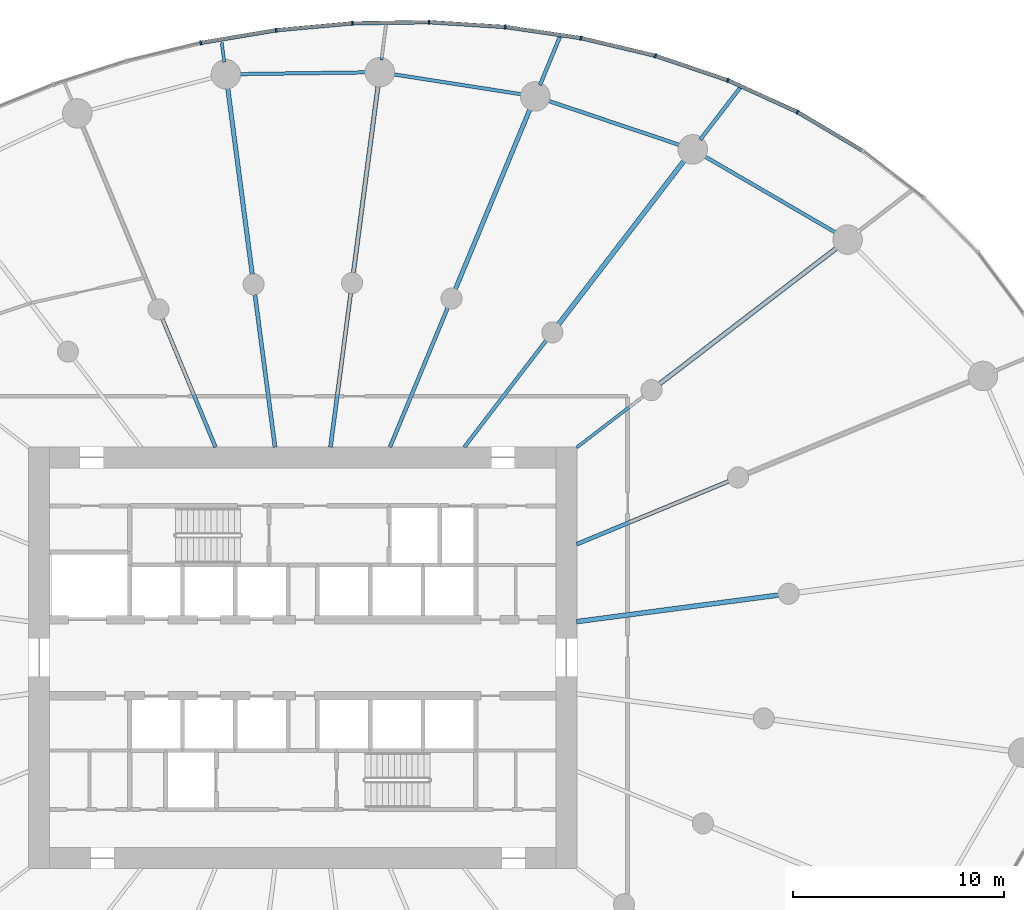
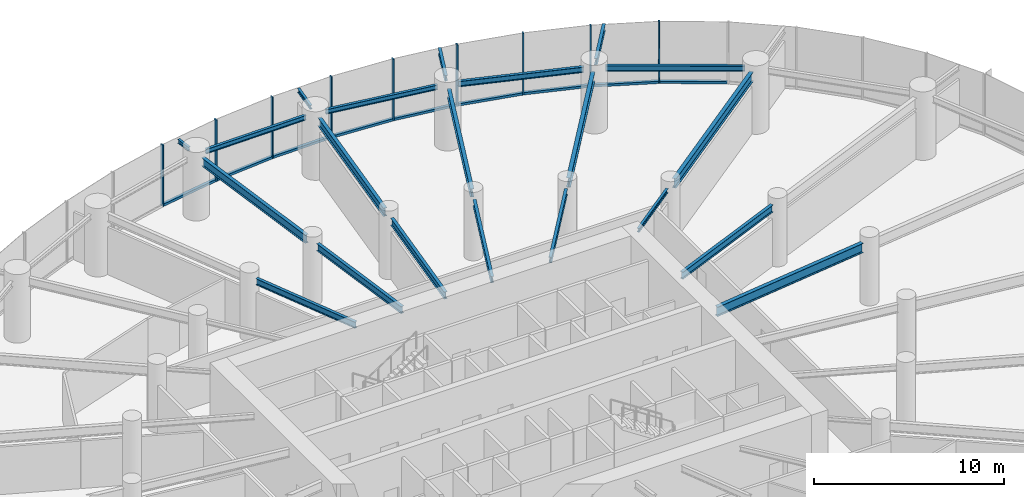
# One storey, part 7 of 18: 21 beams, 18 members, 3 elements without a shape of their own.
"""IFC4 building model written with IfcOpenShell, lengths in metres."""

from ifc_helpers import new_model, si_unit, direction, frame, origin, origin_2d, place, context, subcontext, project, spatial, rectangle, i_section, extrude, source, transform, mapped, material, layer, layer_set, material_profile, profile_set, type_object, element, aggregate, save


model = new_model("IFC4")

# Units and contexts
model_context = context("Model", 3, precision=1e-05, world=origin(), true_north=direction((0.0, 1.0)))
body_context = subcontext(model_context, "Body", "Model", "MODEL_VIEW")
ifc_project = project(units=[si_unit("LENGTHUNIT", "METRE"), si_unit("AREAUNIT", "SQUARE_METRE"), si_unit("VOLUMEUNIT", "CUBIC_METRE"), si_unit("PLANEANGLEUNIT", "RADIAN"), si_unit("MASSUNIT", "GRAM", prefix="KILO")], contexts=[model_context])

# Site, building, storey
site_placement = place(None, origin())
site = spatial("IfcSite", under=ifc_project, at=site_placement, CompositionType="ELEMENT")
building_placement = place(site_placement, origin())
building = spatial("IfcBuilding", under=site, at=building_placement, Name="Spindrift Exchange Tower", CompositionType="ELEMENT")
storey_placement = place(building_placement, frame((0.0, 0.0, 66.60009765625)))
storey = spatial("IfcBuildingStorey", under=building, at=storey_placement, Name="L15", CompositionType="ELEMENT", Elevation=66.60009765625)

# Beams
ifc_material_1 = material(Name="Steel Grade 300", Category="steel")
ifc_material_profile_1 = material_profile(ifc_material_1, i_section(OverallWidth=0.22802734375, OverallDepth=0.60693359375, WebThickness=0.01123046875, FlangeThickness=0.017333984375, FilletRadius=0.013916015625, at=origin_2d()), Name="610UB113")
ifc_profile_set_1 = profile_set([ifc_material_profile_1], Name="Steel Grade 300")
beam_type_1 = type_object("IfcBeamType", Name="Floor Beam 610UB113 Steel Grade 300", PredefinedType="BEAM", material=ifc_profile_set_1)
shared_shape_1 = source(origin(), body_context, "Body", "SweptSolid", [
    extrude(i_section(OverallWidth=0.22802734375, OverallDepth=0.60693359375, WebThickness=0.01123046875, FlangeThickness=0.017333984375, FilletRadius=0.013916015625, at=origin_2d()), origin(), (0.0, 0.0, 1.0), 9.660400390625),
])
beam_1_placement = place(storey_placement, frame((64.980224609375, 49.708984375, 3.646484375), z_axis=(0.99144767089, 0.130504850054, 0.0), x_axis=(-0.130504850054, 0.99144767089, 0.0)))
element("IfcBeam", 1, at=beam_1_placement, inside=storey, type_object=beam_type_1, Name="L15 radial beam R01A", PredefinedType="BEAM", context=body_context, shape_type="MappedRepresentation", body=[
    mapped(shared_shape_1, transform((0.0, 0.0, 0.0), scale=1.0)),
])
ifc_material_profile_2 = material_profile(ifc_material_1, i_section(OverallWidth=0.18994140625, OverallDepth=0.45703125, WebThickness=0.009033203125, FlangeThickness=0.014404296875, FilletRadius=0.013916015625, at=origin_2d()), Name="460UB74.6")
ifc_profile_set_2 = profile_set([ifc_material_profile_2], Name="Steel Grade 300")
beam_type_2 = type_object("IfcBeamType", Name="Floor Beam 460UB74.6 Steel Grade 300", PredefinedType="BEAM", material=ifc_profile_set_2)
shared_shape_2 = source(origin(), body_context, "Body", "SweptSolid", [
    extrude(i_section(OverallWidth=0.18994140625, OverallDepth=0.45703125, WebThickness=0.009033203125, FlangeThickness=0.014404296875, FilletRadius=0.013916015625, at=origin_2d()), origin(), (0.0, 0.0, 1.0), 7.808837890625),
])
beam_2_placement = place(storey_placement, frame((64.9814453125, 53.377197265625, 3.721435546875), z_axis=(0.92387965154, 0.382683145003, 0.0), x_axis=(-0.382683145003, 0.92387965154, 0.0)))
element("IfcBeam", 2, at=beam_2_placement, inside=storey, type_object=beam_type_2, Name="L15 radial beam R02A", PredefinedType="BEAM", context=body_context, shape_type="MappedRepresentation", body=[
    mapped(shared_shape_2, transform((0.0, 0.0, 0.0), scale=1.0)),
])
ifc_material_profile_3 = material_profile(ifc_material_1, i_section(OverallWidth=0.14599609375, OverallDepth=0.251953125, WebThickness=0.006103515625, FlangeThickness=0.008544921875, FilletRadius=0.011962890625, at=origin_2d()), Name="250UB31.4")
ifc_profile_set_3 = profile_set([ifc_material_profile_3], Name="Steel Grade 300")
beam_type_3 = type_object("IfcBeamType", Name="Floor Beam 250UB31.4 Steel Grade 300", PredefinedType="BEAM", material=ifc_profile_set_3)
shared_shape_3 = source(origin(), body_context, "Body", "SweptSolid", [
    extrude(i_section(OverallWidth=0.14599609375, OverallDepth=0.251953125, WebThickness=0.006103515625, FlangeThickness=0.008544921875, FilletRadius=0.011962890625, at=origin_2d()), origin(), (0.0, 0.0, 1.0), 3.99560546875),
])
beam_3_placement = place(storey_placement, frame((64.984130859375, 57.963134765625, 3.823974609375), z_axis=(0.793352561574, 0.608762443851, 0.0), x_axis=(-0.608762443851, 0.793352561574, 0.0)))
element("IfcBeam", 3, at=beam_3_placement, inside=storey, type_object=beam_type_3, Name="L15 radial beam R03A", PredefinedType="BEAM", context=body_context, shape_type="MappedRepresentation", body=[
    mapped(shared_shape_3, transform((0.0, 0.0, 0.0), scale=1.0)),
])
shared_shape_4 = source(origin(), body_context, "Body", "SweptSolid", [
    extrude(i_section(OverallWidth=0.22802734375, OverallDepth=0.60693359375, WebThickness=0.01123046875, FlangeThickness=0.017333984375, FilletRadius=0.013916015625, at=origin_2d()), origin(), (0.0, 0.0, 1.0), 10.66357421875),
])
beam_4_placement = place(storey_placement, frame((68.91552734375, 60.979736328125, 3.646484375), z_axis=(0.793357926757, 0.608755451764, 0.0), x_axis=(-0.608755451764, 0.793357926757, 0.0)))
element("IfcBeam", 4, at=beam_4_placement, inside=storey, type_object=beam_type_1, Name="L15 radial beam R03B", PredefinedType="BEAM", context=body_context, shape_type="MappedRepresentation", body=[
    mapped(shared_shape_4, transform((0.0, 0.0, 0.0), scale=1.0)),
])
ifc_material_profile_4 = material_profile(ifc_material_1, i_section(OverallWidth=0.172119140625, OverallDepth=0.35888671875, WebThickness=0.008056640625, FlangeThickness=0.012939453125, FilletRadius=0.013916015625, at=origin_2d()), Name="360UB56.7")
ifc_profile_set_4 = profile_set([ifc_material_profile_4], Name="Steel Grade 300")
beam_type_4 = type_object("IfcBeamType", Name="Floor Beam 360UB56.7 Steel Grade 300", PredefinedType="BEAM", material=ifc_profile_set_4)
shared_shape_5 = source(origin(), body_context, "Body", "SweptSolid", [
    extrude(i_section(OverallWidth=0.172119140625, OverallDepth=0.35888671875, WebThickness=0.008056640625, FlangeThickness=0.012939453125, FilletRadius=0.013916015625, at=origin_2d()), origin(), (0.0, 0.0, 1.0), 6.37646484375),
])
beam_5_placement = place(storey_placement, frame((59.6611328125, 57.984130859375, 3.7705078125), z_axis=(0.608766669952, 0.793349318747, 0.0), x_axis=(-0.793349318747, 0.608766669952, 0.0)))
element("IfcBeam", 5, at=beam_5_placement, inside=storey, type_object=beam_type_4, Name="L15 radial beam R04A", PredefinedType="BEAM", context=body_context, shape_type="MappedRepresentation", body=[
    mapped(shared_shape_5, transform((0.0, 0.0, 0.0), scale=1.0)),
])
shared_shape_6 = source(origin(), body_context, "Body", "SweptSolid", [
    extrude(i_section(OverallWidth=0.22802734375, OverallDepth=0.60693359375, WebThickness=0.01123046875, FlangeThickness=0.017333984375, FilletRadius=0.013916015625, at=origin_2d()), origin(), (0.0, 0.0, 1.0), 9.87548828125),
])
beam_6_placement = place(storey_placement, frame((64.127197265625, 63.8046875, 3.646484375), z_axis=(0.608772470836, 0.793344867477, 0.0), x_axis=(-0.793344867477, 0.608772470836, 0.0)))
element("IfcBeam", 6, at=beam_6_placement, inside=storey, type_object=beam_type_1, Name="L15 radial beam R04B", PredefinedType="BEAM", context=body_context, shape_type="MappedRepresentation", body=[
    mapped(shared_shape_6, transform((0.0, 0.0, 0.0), scale=1.0)),
])
ifc_material_profile_5 = material_profile(ifc_material_1, i_section(OverallWidth=0.177978515625, OverallDepth=0.406005859375, WebThickness=0.0078125, FlangeThickness=0.0126953125, FilletRadius=0.013916015625, at=origin_2d()), Name="410UB59.7")
ifc_profile_set_5 = profile_set([ifc_material_profile_5], Name="Steel Grade 300")
beam_type_5 = type_object("IfcBeamType", Name="Floor Beam 410UB59.7 Steel Grade 300", PredefinedType="BEAM", material=ifc_profile_set_5)
shared_shape_7 = source(origin(), body_context, "Body", "SweptSolid", [
    extrude(i_section(OverallWidth=0.177978515625, OverallDepth=0.406005859375, WebThickness=0.0078125, FlangeThickness=0.0126953125, FilletRadius=0.013916015625, at=origin_2d()), origin(), (0.0, 0.0, 1.0), 7.150634765625),
])
beam_7_placement = place(storey_placement, frame((56.134521484375, 57.9814453125, 3.746826171875), z_axis=(0.382665393358, 0.923887004306, 0.0), x_axis=(-0.923887004306, 0.382665393358, 0.0)))
element("IfcBeam", 7, at=beam_7_placement, inside=storey, type_object=beam_type_5, Name="L15 radial beam R05A", PredefinedType="BEAM", context=body_context, shape_type="MappedRepresentation", body=[
    mapped(shared_shape_7, transform((0.0, 0.0, 0.0), scale=1.0)),
])
ifc_material_profile_6 = material_profile(ifc_material_1, i_section(OverallWidth=0.208984375, OverallDepth=0.532958984375, WebThickness=0.01025390625, FlangeThickness=0.015625, FilletRadius=0.013916015625, at=origin_2d()), Name="530UB92.4")
ifc_profile_set_6 = profile_set([ifc_material_profile_6], Name="Steel Grade 300")
beam_type_6 = type_object("IfcBeamType", Name="Floor Beam 530UB92.4 Steel Grade 300", PredefinedType="BEAM", material=ifc_profile_set_6)
shared_shape_8 = source(origin(), body_context, "Body", "SweptSolid", [
    extrude(i_section(OverallWidth=0.208984375, OverallDepth=0.532958984375, WebThickness=0.01025390625, FlangeThickness=0.015625, FilletRadius=0.013916015625, at=origin_2d()), origin(), (0.0, 0.0, 1.0), 9.309326171875),
])
beam_8_placement = place(storey_placement, frame((59.23828125, 65.474853515625, 3.683349609375), z_axis=(0.382685326691, 0.923878747853, 0.0), x_axis=(-0.923878747853, 0.382685326691, 0.0)))
element("IfcBeam", 8, at=beam_8_placement, inside=storey, type_object=beam_type_6, Name="L15 radial beam R05B", PredefinedType="BEAM", context=body_context, shape_type="MappedRepresentation", body=[
    mapped(shared_shape_8, transform((0.0, 0.0, 0.0), scale=1.0)),
])
shared_shape_9 = source(origin(), body_context, "Body", "SweptSolid", [
    extrude(i_section(OverallWidth=0.18994140625, OverallDepth=0.45703125, WebThickness=0.009033203125, FlangeThickness=0.014404296875, FilletRadius=0.013916015625, at=origin_2d()), origin(), (0.0, 0.0, 1.0), 7.374267578125),
])
beam_9_placement = place(storey_placement, frame((53.31396484375, 57.980224609375, 3.721435546875), z_axis=(0.130539295622, 0.99144313619, 0.0), x_axis=(-0.99144313619, 0.130539295622, 0.0)))
element("IfcBeam", 9, at=beam_9_placement, inside=storey, type_object=beam_type_2, Name="L15 radial beam R06A", PredefinedType="BEAM", context=body_context, shape_type="MappedRepresentation", body=[
    mapped(shared_shape_9, transform((0.0, 0.0, 0.0), scale=1.0)),
])
shared_shape_10 = source(origin(), body_context, "Body", "SweptSolid", [
    extrude(i_section(OverallWidth=0.208984375, OverallDepth=0.532958984375, WebThickness=0.01025390625, FlangeThickness=0.015625, FilletRadius=0.013916015625, at=origin_2d()), origin(), (0.0, 0.0, 1.0), 9.020263671875),
])
beam_10_placement = place(storey_placement, frame((54.40185546875, 66.2431640625, 3.683349609375), z_axis=(0.13051122338, 0.991446831944, 0.0), x_axis=(-0.991446831944, 0.13051122338, 0.0)))
element("IfcBeam", 10, at=beam_10_placement, inside=storey, type_object=beam_type_6, Name="L15 radial beam R06B", PredefinedType="BEAM", context=body_context, shape_type="MappedRepresentation", body=[
    mapped(shared_shape_10, transform((0.0, 0.0, 0.0), scale=1.0)),
])
shared_shape_11 = source(origin(), body_context, "Body", "SweptSolid", [
    extrude(i_section(OverallWidth=0.18994140625, OverallDepth=0.45703125, WebThickness=0.009033203125, FlangeThickness=0.014404296875, FilletRadius=0.013916015625, at=origin_2d()), origin(), (0.0, 0.0, 1.0), 7.3095703125),
])
beam_11_placement = place(storey_placement, frame((50.68603515625, 57.980224609375, 3.721435546875), z_axis=(-0.130527087244, 0.991444743541, 0.0), x_axis=(-0.991444743541, -0.130527087244, 0.0)))
element("IfcBeam", 11, at=beam_11_placement, inside=storey, type_object=beam_type_2, Name="L15 radial beam R07A", PredefinedType="BEAM", context=body_context, shape_type="MappedRepresentation", body=[
    mapped(shared_shape_11, transform((0.0, 0.0, 0.0), scale=1.0)),
])
shared_shape_12 = source(origin(), body_context, "Body", "SweptSolid", [
    extrude(i_section(OverallWidth=0.208984375, OverallDepth=0.532958984375, WebThickness=0.01025390625, FlangeThickness=0.015625, FilletRadius=0.013916015625, at=origin_2d()), origin(), (0.0, 0.0, 1.0), 8.98388671875),
])
beam_12_placement = place(storey_placement, frame((49.606689453125, 66.17919921875, 3.683349609375), z_axis=(-0.130524106785, 0.991445135924, 0.0), x_axis=(-0.991445135924, -0.130524106785, 0.0)))
element("IfcBeam", 12, at=beam_12_placement, inside=storey, type_object=beam_type_6, Name="L15 radial beam R07B", PredefinedType="BEAM", context=body_context, shape_type="MappedRepresentation", body=[
    mapped(shared_shape_12, transform((0.0, 0.0, 0.0), scale=1.0)),
])
shared_shape_13 = source(origin(), body_context, "Body", "SweptSolid", [
    extrude(i_section(OverallWidth=0.177978515625, OverallDepth=0.406005859375, WebThickness=0.0078125, FlangeThickness=0.0126953125, FilletRadius=0.013916015625, at=origin_2d()), origin(), (0.0, 0.0, 1.0), 6.594482421875),
])
beam_13_placement = place(storey_placement, frame((47.865478515625, 57.9814453125, 3.746826171875), z_axis=(-0.382692929746, 0.92387559851, 0.0), x_axis=(-0.92387559851, -0.382692929746, 0.0)))
element("IfcBeam", 13, at=beam_13_placement, inside=storey, type_object=beam_type_5, Name="L15 radial beam R08A", PredefinedType="BEAM", context=body_context, shape_type="MappedRepresentation", body=[
    mapped(shared_shape_13, transform((0.0, 0.0, 0.0), scale=1.0)),
])
ifc_material_profile_7 = material_profile(ifc_material_1, i_section(OverallWidth=0.172119140625, OverallDepth=0.35888671875, WebThickness=0.008056640625, FlangeThickness=0.012939453125, FilletRadius=0.013916015625, at=origin_2d()), Name="360UB56.7")
ifc_profile_set_7 = profile_set([ifc_material_profile_7], Name="Steel Grade 300")
beam_type_7 = type_object("IfcBeamType", Name="Edge Beam 360UB56.7 Steel Grade 300", PredefinedType="SPANDREL", material=ifc_profile_set_7)
shared_shape_14 = source(origin(), body_context, "Body", "SweptSolid", [
    extrude(i_section(OverallWidth=0.172119140625, OverallDepth=0.35888671875, WebThickness=0.008056640625, FlangeThickness=0.012939453125, FilletRadius=0.013916015625, at=origin_2d()), origin(), (0.0, 0.0, 1.0), 7.33740234375),
])
beam_14_placement = place(storey_placement, frame((77.33447265625, 68.1162109375, 3.7705078125), z_axis=(-0.864211826308, 0.503128134047, 0.0), x_axis=(-0.503128134047, -0.864211826308, 0.0)))
element("IfcBeam", 14, at=beam_14_placement, inside=storey, type_object=beam_type_7, Name="L15 edge beam E03", PredefinedType="SPANDREL", context=body_context, shape_type="MappedRepresentation", body=[
    mapped(shared_shape_14, transform((0.0, 0.0, 0.0), scale=1.0)),
])
shared_shape_15 = source(origin(), body_context, "Body", "SweptSolid", [
    extrude(i_section(OverallWidth=0.172119140625, OverallDepth=0.35888671875, WebThickness=0.008056640625, FlangeThickness=0.012939453125, FilletRadius=0.013916015625, at=origin_2d()), origin(), (0.0, 0.0, 1.0), 6.72021484375),
])
beam_15_placement = place(storey_placement, frame((69.9423828125, 72.28466796875, 3.7705078125), z_axis=(-0.947851749681, 0.318711563372, 0.0), x_axis=(-0.318711563372, -0.947851749681, 0.0)))
element("IfcBeam", 15, at=beam_15_placement, inside=storey, type_object=beam_type_7, Name="L15 edge beam E04", PredefinedType="SPANDREL", context=body_context, shape_type="MappedRepresentation", body=[
    mapped(shared_shape_15, transform((0.0, 0.0, 0.0), scale=1.0)),
])
ifc_material_profile_8 = material_profile(ifc_material_1, i_section(OverallWidth=0.1650390625, OverallDepth=0.303955078125, WebThickness=0.006103515625, FlangeThickness=0.01025390625, FilletRadius=0.011474609375, at=origin_2d()), Name="310UB40.4")
ifc_profile_set_8 = profile_set([ifc_material_profile_8], Name="Steel Grade 300")
beam_type_8 = type_object("IfcBeamType", Name="Edge Beam 310UB40.4 Steel Grade 300", PredefinedType="SPANDREL", material=ifc_profile_set_8)
shared_shape_16 = source(origin(), body_context, "Body", "SweptSolid", [
    extrude(i_section(OverallWidth=0.1650390625, OverallDepth=0.303955078125, WebThickness=0.006103515625, FlangeThickness=0.01025390625, FilletRadius=0.011474609375, at=origin_2d()), origin(), (0.0, 0.0, 1.0), 6.297119140625),
])
beam_16_placement = place(storey_placement, frame((62.44970703125, 74.70068359375, 3.7978515625), z_axis=(-0.98802902915, 0.154268070436, 0.0), x_axis=(-0.154268070436, -0.98802902915, 0.0)))
element("IfcBeam", 16, at=beam_16_placement, inside=storey, type_object=beam_type_8, Name="L15 edge beam E05", PredefinedType="SPANDREL", context=body_context, shape_type="MappedRepresentation", body=[
    mapped(shared_shape_16, transform((0.0, 0.0, 0.0), scale=1.0)),
])
shared_shape_17 = source(origin(), body_context, "Body", "SweptSolid", [
    extrude(i_section(OverallWidth=0.1650390625, OverallDepth=0.303955078125, WebThickness=0.006103515625, FlangeThickness=0.01025390625, FilletRadius=0.011474609375, at=origin_2d()), origin(), (0.0, 0.0, 1.0), 6.13720703125),
])
beam_17_placement = place(storey_placement, frame((55.074951171875, 75.75341796875, 3.7978515625), z_axis=(-0.999905820907, -0.013724041543, 0.0), x_axis=(0.013724041543, -0.999905820907, 0.0)))
element("IfcBeam", 17, at=beam_17_placement, inside=storey, type_object=beam_type_8, Name="L15 edge beam E06", PredefinedType="SPANDREL", context=body_context, shape_type="MappedRepresentation", body=[
    mapped(shared_shape_17, transform((0.0, 0.0, 0.0), scale=1.0)),
])
ifc_material_profile_9 = material_profile(ifc_material_1, i_section(OverallWidth=0.177978515625, OverallDepth=0.406005859375, WebThickness=0.0078125, FlangeThickness=0.0126953125, FilletRadius=0.013916015625, at=origin_2d()), Name="410UB59.7")
ifc_profile_set_9 = profile_set([ifc_material_profile_9], Name="Steel Grade 300")
beam_type_9 = type_object("IfcBeamType", Name="Cantilever Beam 410UB59.7 Steel Grade 300", PredefinedType="BEAM", material=ifc_profile_set_9)
shared_shape_18 = source(origin(), body_context, "Body", "SweptSolid", [
    extrude(i_section(OverallWidth=0.177978515625, OverallDepth=0.406005859375, WebThickness=0.0078125, FlangeThickness=0.0126953125, FilletRadius=0.013916015625, at=origin_2d()), origin(), (0.0, 0.0, 1.0), 3.257568359375),
])
beam_18_placement = place(storey_placement, frame((70.845458984375, 72.559814453125, 3.746826171875), z_axis=(0.608765037761, 0.793350571185, 0.0), x_axis=(-0.793350571185, 0.608765037761, 0.0)))
element("IfcBeam", 18, at=beam_18_placement, inside=storey, type_object=beam_type_9, Name="L15 cantilever beam R04T", PredefinedType="BEAM", context=body_context, shape_type="MappedRepresentation", body=[
    mapped(shared_shape_18, transform((0.0, 0.0, 0.0), scale=1.0)),
])
ifc_material_profile_10 = material_profile(ifc_material_1, i_section(OverallWidth=0.172119140625, OverallDepth=0.35888671875, WebThickness=0.008056640625, FlangeThickness=0.012939453125, FilletRadius=0.013916015625, at=origin_2d()), Name="360UB56.7")
ifc_profile_set_10 = profile_set([ifc_material_profile_10], Name="Steel Grade 300")
beam_type_10 = type_object("IfcBeamType", Name="Cantilever Beam 360UB56.7 Steel Grade 300", PredefinedType="BEAM", material=ifc_profile_set_10)
shared_shape_19 = source(origin(), body_context, "Body", "SweptSolid", [
    extrude(i_section(OverallWidth=0.172119140625, OverallDepth=0.35888671875, WebThickness=0.008056640625, FlangeThickness=0.012939453125, FilletRadius=0.013916015625, at=origin_2d()), origin(), (0.0, 0.0, 1.0), 2.591796875),
])
beam_19_placement = place(storey_placement, frame((63.244873046875, 75.147216796875, 3.7705078125), z_axis=(0.382634657467, 0.923899734227, 0.0), x_axis=(-0.923899734227, 0.382634657467, 0.0)))
element("IfcBeam", 19, at=beam_19_placement, inside=storey, type_object=beam_type_10, Name="L15 cantilever beam R05T", PredefinedType="BEAM", context=body_context, shape_type="MappedRepresentation", body=[
    mapped(shared_shape_19, transform((0.0, 0.0, 0.0), scale=1.0)),
])
ifc_material_profile_11 = material_profile(ifc_material_1, i_section(OverallWidth=0.14599609375, OverallDepth=0.251953125, WebThickness=0.006103515625, FlangeThickness=0.008544921875, FilletRadius=0.011962890625, at=origin_2d()), Name="250UB31.4")
ifc_profile_set_11 = profile_set([ifc_material_profile_11], Name="Steel Grade 300")
beam_type_11 = type_object("IfcBeamType", Name="Cantilever Beam 250UB31.4 Steel Grade 300", PredefinedType="BEAM", material=ifc_profile_set_11)
shared_shape_20 = source(origin(), body_context, "Body", "SweptSolid", [
    extrude(i_section(OverallWidth=0.14599609375, OverallDepth=0.251953125, WebThickness=0.006103515625, FlangeThickness=0.008544921875, FilletRadius=0.011962890625, at=origin_2d()), origin(), (0.0, 0.0, 1.0), 1.72998046875),
])
beam_20_placement = place(storey_placement, frame((55.730712890625, 76.33642578125, 3.823974609375), z_axis=(0.130407051709, 0.991460539237, 0.0), x_axis=(-0.991460539237, 0.130407051709, 0.0)))
element("IfcBeam", 20, at=beam_20_placement, inside=storey, type_object=beam_type_11, Name="L15 cantilever beam R06T", PredefinedType="BEAM", context=body_context, shape_type="MappedRepresentation", body=[
    mapped(shared_shape_20, transform((0.0, 0.0, 0.0), scale=1.0)),
])
shared_shape_21 = source(origin(), body_context, "Body", "SweptSolid", [
    extrude(i_section(OverallWidth=0.14599609375, OverallDepth=0.251953125, WebThickness=0.006103515625, FlangeThickness=0.008544921875, FilletRadius=0.011962890625, at=origin_2d()), origin(), (0.0, 0.0, 1.0), 0.934326171875),
])
beam_21_placement = place(storey_placement, frame((48.28271484375, 76.236328125, 3.823974609375), z_axis=(-0.130657299934, 0.991427591897, 0.0), x_axis=(-0.991427591897, -0.130657299934, 0.0)))
element("IfcBeam", 21, at=beam_21_placement, inside=storey, type_object=beam_type_11, Name="L15 cantilever beam R07T", PredefinedType="BEAM", context=body_context, shape_type="MappedRepresentation", body=[
    mapped(shared_shape_21, transform((0.0, 0.0, 0.0), scale=1.0)),
])

# Curtain wall, members
ifc_material_2 = material(Name="Fritted laminated glass with bronze frame", Category="glass")
ifc_layer = layer(ifc_material_2, 0.199951171875)
ifc_layer_set = layer_set([ifc_layer], Name="ZONE 1 BRONZE FRITTED WALL")
curtain_wall_type = type_object("IfcCurtainWallType", Name="ZONE 1 BRONZE FRITTED WALL", PredefinedType="NOTDEFINED", material=ifc_layer_set)
curtain_wall_1_placement = place(storey_placement, origin())
curtain_wall_1 = element("IfcCurtainWall", 22, at=curtain_wall_1_placement, inside=storey, type_object=curtain_wall_type, Name="L15 Zone 1 Bronze Fritted Wall run 2", PredefinedType="NOTDEFINED")
ifc_material_3 = material(Name="Bronze anodised aluminium", Category="aluminium")
ifc_material_profile_12 = material_profile(ifc_material_3, rectangle(XDim=0.080078125, YDim=0.199951171875, at=origin_2d()), Name="ZONE 1 BRONZE FRITTED WALL MULLION 80X200")
ifc_profile_set_12 = profile_set([ifc_material_profile_12], Name="Bronze anodised aluminium")
member_type_1 = type_object("IfcMemberType", Name="ZONE 1 BRONZE FRITTED WALL MULLION 80X200", PredefinedType="MULLION", material=ifc_profile_set_12)
shared_shape_22 = source(origin(), body_context, "Body", "SweptSolid", [
    extrude(rectangle(XDim=0.080078125, YDim=0.199951171875, at=origin_2d()), origin(), (0.0, 0.0, 1.0), 3.949951171875),
])
member_1_placement = place(storey_placement, frame((75.4560546875, 73.87353515625, 0.0), z_axis=(0.0, 0.0, 1.0), x_axis=(-0.886104892306, 0.463484756849, 0.0)))
member_1 = element("IfcMember", 23, at=member_1_placement, type_object=member_type_1, Name="L15 mullion CW-1.7", PredefinedType="MULLION", context=body_context, shape_type="MappedRepresentation", body=[
    mapped(shared_shape_22, transform((0.0, 0.0, 0.0), scale=1.0)),
])
member_2_placement = place(storey_placement, frame((72.155517578125, 75.376220703125, 0.0), z_axis=(0.0, 0.0, 1.0), x_axis=(-0.929822603162, 0.368008052423, 0.0)))
member_2 = element("IfcMember", 24, at=member_2_placement, type_object=member_type_1, Name="L15 mullion CW-1.8", PredefinedType="MULLION", context=body_context, shape_type="MappedRepresentation", body=[
    mapped(shared_shape_22, transform((0.0, 0.0, 0.0), scale=1.0)),
])
member_3_placement = place(storey_placement, frame((68.72021484375, 76.539306640625, 0.0), z_axis=(0.0, 0.0, 1.0), x_axis=(-0.961092841669, 0.276225541349, 0.0)))
member_3 = element("IfcMember", 25, at=member_3_placement, type_object=member_type_1, Name="L15 mullion CW-1.9", PredefinedType="MULLION", context=body_context, shape_type="MappedRepresentation", body=[
    mapped(shared_shape_22, transform((0.0, 0.0, 0.0), scale=1.0)),
])
member_4_placement = place(storey_placement, frame((65.19140625, 77.377685546875, 0.0), z_axis=(0.0, 0.0, 1.0), x_axis=(-0.982088855362, 0.188418364747, 0.0)))
member_4 = element("IfcMember", 26, at=member_4_placement, type_object=member_type_1, Name="L15 mullion CW-1.10", PredefinedType="MULLION", context=body_context, shape_type="MappedRepresentation", body=[
    mapped(shared_shape_22, transform((0.0, 0.0, 0.0), scale=1.0)),
])
member_5_placement = place(storey_placement, frame((61.602783203125, 77.90478515625, 0.0), z_axis=(0.0, 0.0, 1.0), x_axis=(-0.994525349494, 0.104495594236, 0.0)))
member_5 = element("IfcMember", 27, at=member_5_placement, type_object=member_type_1, Name="L15 mullion CW-1.11", PredefinedType="MULLION", context=body_context, shape_type="MappedRepresentation", body=[
    mapped(shared_shape_22, transform((0.0, 0.0, 0.0), scale=1.0)),
])
member_6_placement = place(storey_placement, frame((57.98291015625, 78.135009765625, 0.0), z_axis=(0.0, 0.0, 1.0), x_axis=(-0.99970886816, 0.024128384172, 0.0)))
member_6 = element("IfcMember", 28, at=member_6_placement, type_object=member_type_1, Name="L15 mullion CW-1.12", PredefinedType="MULLION", context=body_context, shape_type="MappedRepresentation", body=[
    mapped(shared_shape_22, transform((0.0, 0.0, 0.0), scale=1.0)),
])

curtain_wall_2_placement = place(storey_placement, origin())
curtain_wall_2 = element("IfcCurtainWall", 29, at=curtain_wall_2_placement, inside=storey, type_object=curtain_wall_type, Name="L15 Zone 1 Bronze Fritted Wall run 3", PredefinedType="NOTDEFINED")
member_7_placement = place(storey_placement, frame((54.356201171875, 78.079833984375, 0.0), z_axis=(0.0, 0.0, 1.0), x_axis=(-0.998586607791, -0.053148722858, 0.0)))
member_7 = element("IfcMember", 30, at=member_7_placement, type_object=member_type_1, Name="L15 mullion CW-1.13", PredefinedType="MULLION", context=body_context, shape_type="MappedRepresentation", body=[
    mapped(shared_shape_22, transform((0.0, 0.0, 0.0), scale=1.0)),
])
member_8_placement = place(storey_placement, frame((50.743896484375, 77.749755859375, 0.0), z_axis=(0.0, 0.0, 1.0), x_axis=(-0.99179506669, -0.12783796654, 0.0)))
member_8 = element("IfcMember", 31, at=member_8_placement, type_object=member_type_1, Name="L15 mullion CW-1.14", PredefinedType="MULLION", context=body_context, shape_type="MappedRepresentation", body=[
    mapped(shared_shape_22, transform((0.0, 0.0, 0.0), scale=1.0)),
])
member_9_placement = place(storey_placement, frame((47.165771484375, 77.153076171875, 0.0), z_axis=(0.0, 0.0, 1.0), x_axis=(-0.979714642089, -0.20039765487, 0.0)))
member_9 = element("IfcMember", 32, at=member_9_placement, type_object=member_type_1, Name="L15 mullion CW-1.15", PredefinedType="MULLION", context=body_context, shape_type="MappedRepresentation", body=[
    mapped(shared_shape_22, transform((0.0, 0.0, 0.0), scale=1.0)),
])

# Member
ifc_material_profile_13 = material_profile(ifc_material_3, rectangle(XDim=0.179931640625, YDim=0.14990234375, at=origin_2d()), Name="ZONE 1 BRONZE FRITTED WALL TRANSOM 180X150")
ifc_profile_set_13 = profile_set([ifc_material_profile_13], Name="Bronze anodised aluminium")
member_type_2 = type_object("IfcMemberType", Name="ZONE 1 BRONZE FRITTED WALL TRANSOM 180X150", PredefinedType="USERDEFINED", material=ifc_profile_set_13)
shared_shape_23 = source(origin(), body_context, "Body", "SweptSolid", [
    extrude(rectangle(XDim=0.179931640625, YDim=0.14990234375, at=origin_2d()), origin(), (0.0, 0.0, 1.0), 3.546875),
])
member_10_placement = place(storey_placement, frame((72.11767578125, 75.388916015625, 0.074951171875), z_axis=(-0.947158068535, 0.320767194722, 0.0), x_axis=(-0.320767194722, -0.947158068535, 0.0)))
member_10 = element("IfcMember", 33, at=member_10_placement, type_object=member_type_2, Name="L15 transom CW-1.8", ObjectType="TRANSOM", PredefinedType="USERDEFINED", context=body_context, shape_type="MappedRepresentation", body=[
    mapped(shared_shape_23, transform((0.0, 0.0, 0.0), scale=1.0)),
])

member_11_placement = place(storey_placement, frame((68.681396484375, 76.548583984375, 0.074951171875), z_axis=(-0.972922041517, 0.231133513648, 0.0), x_axis=(-0.231133513648, -0.972922041517, 0.0)))
member_11 = element("IfcMember", 34, at=member_11_placement, type_object=member_type_2, Name="L15 transom CW-1.9", ObjectType="TRANSOM", PredefinedType="USERDEFINED", context=body_context, shape_type="MappedRepresentation", body=[
    mapped(shared_shape_23, transform((0.0, 0.0, 0.0), scale=1.0)),
])

member_12_placement = place(storey_placement, frame((65.15185546875, 77.38330078125, 0.074951171875), z_axis=(-0.989367293206, 0.145438506369, 0.0), x_axis=(-0.145438506369, -0.989367293206, 0.0)))
member_12 = element("IfcMember", 35, at=member_12_placement, type_object=member_type_2, Name="L15 transom CW-1.10", ObjectType="TRANSOM", PredefinedType="USERDEFINED", context=body_context, shape_type="MappedRepresentation", body=[
    mapped(shared_shape_23, transform((0.0, 0.0, 0.0), scale=1.0)),
])

shared_shape_24 = source(origin(), body_context, "Body", "SweptSolid", [
    extrude(rectangle(XDim=0.179931640625, YDim=0.14990234375, at=origin_2d()), origin(), (0.0, 0.0, 1.0), 3.54736328125),
])
member_13_placement = place(storey_placement, frame((50.704345703125, 77.7431640625, 0.074951171875), z_axis=(-0.986379039025, -0.16448827123, 0.0), x_axis=(0.16448827123, -0.986379039025, 0.0)))
member_13 = element("IfcMember", 36, at=member_13_placement, type_object=member_type_2, Name="L15 transom CW-1.14", ObjectType="TRANSOM", PredefinedType="USERDEFINED", context=body_context, shape_type="MappedRepresentation", body=[
    mapped(shared_shape_24, transform((0.0, 0.0, 0.0), scale=1.0)),
])

shared_shape_25 = source(origin(), body_context, "Body", "SweptSolid", [
    extrude(rectangle(XDim=0.179931640625, YDim=0.14990234375, at=origin_2d()), origin(), (0.0, 0.0, 1.0), 3.547119140625),
])
member_14_placement = place(storey_placement, frame((61.56298828125, 77.907470703125, 0.074951171875), z_axis=(-0.997984506881, 0.063458049334, 0.0), x_axis=(-0.063458049334, -0.997984506881, 0.0)))
member_14 = element("IfcMember", 37, at=member_14_placement, type_object=member_type_2, Name="L15 transom CW-1.11", ObjectType="TRANSOM", PredefinedType="USERDEFINED", context=body_context, shape_type="MappedRepresentation", body=[
    mapped(shared_shape_25, transform((0.0, 0.0, 0.0), scale=1.0)),
])

member_15_placement = place(storey_placement, frame((54.316162109375, 78.076171875, 0.074951171875), z_axis=(-0.99585192031, -0.09098875103, 0.0), x_axis=(0.09098875103, -0.99585192031, 0.0)))
member_15 = element("IfcMember", 38, at=member_15_placement, type_object=member_type_2, Name="L15 transom CW-1.13", ObjectType="TRANSOM", PredefinedType="USERDEFINED", context=body_context, shape_type="MappedRepresentation", body=[
    mapped(shared_shape_25, transform((0.0, 0.0, 0.0), scale=1.0)),
])

aggregate(curtain_wall_2, [member_7, member_15, member_8, member_13, member_9])

# Curtain wall, member
curtain_wall_3_placement = place(storey_placement, origin())
curtain_wall_3 = element("IfcCurtainWall", 39, at=curtain_wall_3_placement, inside=storey, type_object=curtain_wall_type, Name="L15 Zone 1 Bronze Fritted Wall run 1", PredefinedType="NOTDEFINED")
shared_shape_26 = source(origin(), body_context, "Body", "SweptSolid", [
    extrude(rectangle(XDim=0.179931640625, YDim=0.14990234375, at=origin_2d()), origin(), (0.0, 0.0, 1.0), 3.54638671875),
])
member_16_placement = place(storey_placement, frame((78.538330078125, 72.0400390625, 0.074951171875), z_axis=(-0.859442695329, 0.511232093521, 0.0), x_axis=(-0.511232093521, -0.859442695329, 0.0)))
member_16 = element("IfcMember", 40, at=member_16_placement, type_object=member_type_2, Name="L15 transom CW-1.6", ObjectType="TRANSOM", PredefinedType="USERDEFINED", context=body_context, shape_type="MappedRepresentation", body=[
    mapped(shared_shape_26, transform((0.0, 0.0, 0.0), scale=1.0)),
])
aggregate(curtain_wall_3, [member_16])

# Member
shared_shape_27 = source(origin(), body_context, "Body", "SweptSolid", [
    extrude(rectangle(XDim=0.179931640625, YDim=0.14990234375, at=origin_2d()), origin(), (0.0, 0.0, 1.0), 3.546630859375),
])
member_17_placement = place(storey_placement, frame((75.419677734375, 73.89013671875, 0.074951171875), z_axis=(-0.910121137472, 0.414342268092, 0.0), x_axis=(-0.414342268092, -0.910121137472, 0.0)))
member_17 = element("IfcMember", 41, at=member_17_placement, type_object=member_type_2, Name="L15 transom CW-1.7", ObjectType="TRANSOM", PredefinedType="USERDEFINED", context=body_context, shape_type="MappedRepresentation", body=[
    mapped(shared_shape_27, transform((0.0, 0.0, 0.0), scale=1.0)),
])

shared_shape_28 = source(origin(), body_context, "Body", "SweptSolid", [
    extrude(rectangle(XDim=0.179931640625, YDim=0.14990234375, at=origin_2d()), origin(), (0.0, 0.0, 1.0), 3.547607421875),
])
member_18_placement = place(storey_placement, frame((57.943115234375, 78.13427734375, 0.074951171875), z_axis=(-0.999884333459, -0.015209197997, 0.0), x_axis=(0.015209197997, -0.999884333459, 0.0)))
member_18 = element("IfcMember", 42, at=member_18_placement, type_object=member_type_2, Name="L15 transom CW-1.12", ObjectType="TRANSOM", PredefinedType="USERDEFINED", context=body_context, shape_type="MappedRepresentation", body=[
    mapped(shared_shape_28, transform((0.0, 0.0, 0.0), scale=1.0)),
])

aggregate(curtain_wall_1, [member_1, member_17, member_2, member_10, member_3, member_11, member_4, member_12, member_5, member_14, member_6, member_18])

save(model, "model.ifc")
